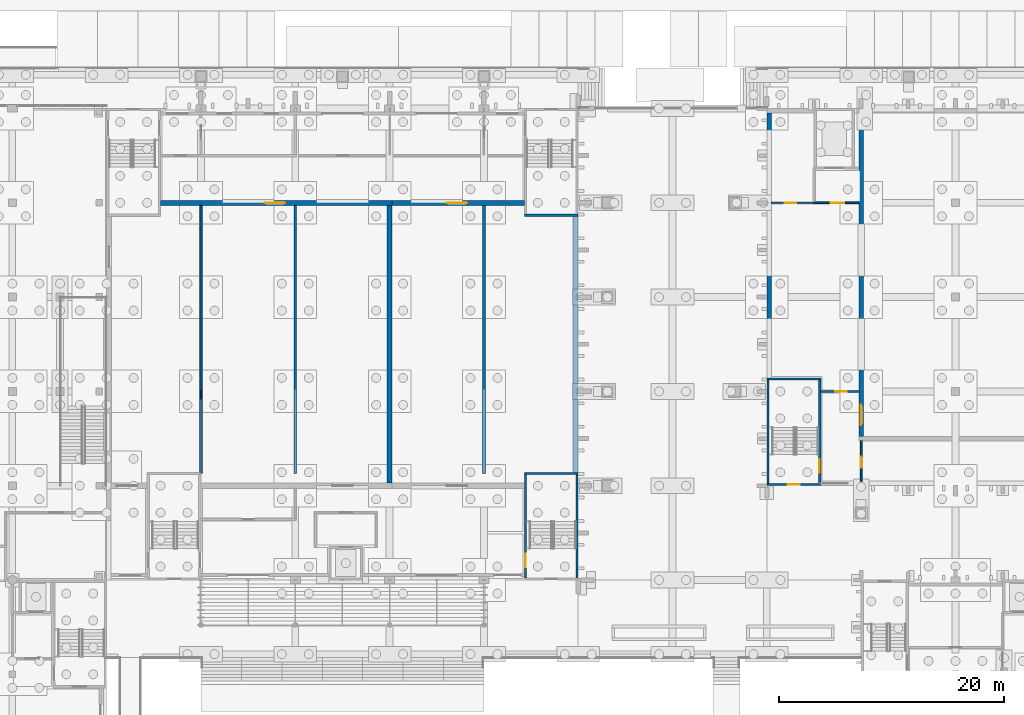
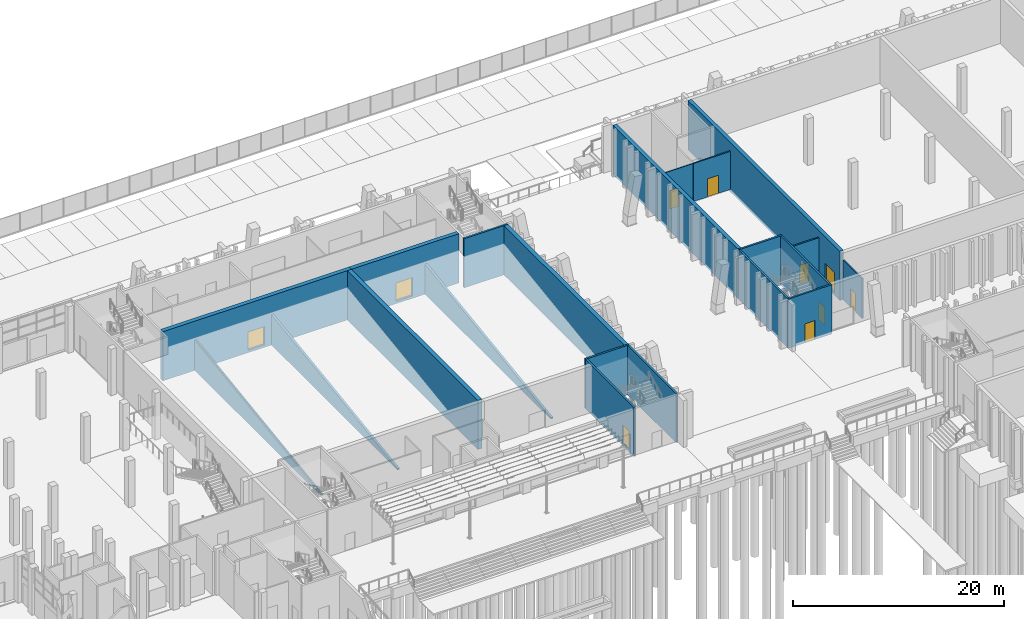
# One storey, part 49 of 129: 22 walls, 10 doors, 10 openings.
"""IFC4 building model written with IfcOpenShell, lengths in metres."""

import ifcopenshell
import ifcopenshell.guid

model = None  # the IFC model being written
_history = None  # IfcOwnerHistory: only IFC2X3 demands one
_inside = {}  # id of a spatial element -> (the spatial element, [elements in it])
_under = {}  # id of a project, library or spatial element -> (it, [spatial elements below it])
_declared = {}  # id of a project -> (the project, [libraries it declares])
_typed = {}  # id of a type object -> (the type object, [elements of that type])
_made_of = {}  # id of a material, layer set ... -> (it, [elements and type objects made of it])


def new_model(schema):
    """Start an empty IFC model of exactly this schema.

    Asked for "IFC4X3", IfcOpenShell would pick the latest addendum, in which some entities
    have other attributes; the version numbers below select the first issue.
    IFC2X3 requires an IfcOwnerHistory on every rooted entity: one is made here for all.
    """
    global model, _history
    if schema == "IFC4X3":
        model = ifcopenshell.file(schema_version=(4, 3, 0, 0))
    else:
        model = ifcopenshell.file(schema=schema)
    _inside.clear()
    _under.clear()
    _declared.clear()
    _typed.clear()
    _made_of.clear()
    _history = None
    if model.schema == "IFC2X3":
        org = make("IfcOrganization", Name="unknown")
        user = make(
            "IfcPersonAndOrganization",
            ThePerson=make("IfcPerson", FamilyName="unknown"),
            TheOrganization=org,
        )
        app = make(
            "IfcApplication",
            ApplicationDeveloper=org,
            Version="unknown",
            ApplicationFullName="unknown",
            ApplicationIdentifier="unknown",
        )
        _history = make(
            "IfcOwnerHistory",
            OwningUser=user,
            OwningApplication=app,
            ChangeAction="ADDED",
            CreationDate=0,
        )
    return model


def make(cls, **values):
    """One entity of the class cls with the attributes given. An attribute that is None is left unset."""
    return model.create_entity(
        cls, **{name: value for name, value in values.items() if value is not None}
    )


def rooted(cls, **values):
    """An entity with a GlobalId (a new one), such as an element, a storey or a relation."""
    return make(cls, GlobalId=ifcopenshell.guid.new(), OwnerHistory=_history, **values)


def si_unit(unit_type, name, prefix=None):
    """IfcSIUnit, for example si_unit("LENGTHUNIT", "METRE", prefix="MILLI")."""
    return make("IfcSIUnit", UnitType=unit_type, Prefix=prefix, Name=name)


def assignment(units):
    """IfcUnitAssignment: the units of a project."""
    return None if units is None else make("IfcUnitAssignment", Units=units)


def point(xyz):
    """IfcCartesianPoint."""
    return None if xyz is None else make("IfcCartesianPoint", Coordinates=xyz)


def direction(xyz):
    """IfcDirection."""
    return None if xyz is None else make("IfcDirection", DirectionRatios=xyz)


def frame(location, z_axis=None, x_axis=None):
    """IfcAxis2Placement3D, a coordinate frame: its origin and axes. An axis left out is left unset."""
    return make(
        "IfcAxis2Placement3D",
        Location=point(location),
        Axis=direction(z_axis),
        RefDirection=direction(x_axis),
    )


def frame_2d(location, x_axis=None):
    """IfcAxis2Placement2D, a coordinate frame in the plane: its origin and x axis."""
    return make(
        "IfcAxis2Placement2D", Location=point(location), RefDirection=direction(x_axis)
    )


def origin():
    """The frame at (0, 0, 0) with its axes left unset."""
    return frame((0.0, 0.0, 0.0))


def place(relative_to, where):
    """IfcLocalPlacement: puts the frame where relative to a parent placement (None: the world)."""
    return make(
        "IfcLocalPlacement", PlacementRelTo=relative_to, RelativePlacement=where
    )


def context(
    kind, dimensions, precision=None, world=None, true_north=None, identifier=None
):
    """IfcGeometricRepresentationContext, for example the 3D "Model" context."""
    return make(
        "IfcGeometricRepresentationContext",
        ContextIdentifier=identifier,
        ContextType=kind,
        CoordinateSpaceDimension=dimensions,
        Precision=precision,
        WorldCoordinateSystem=world,
        TrueNorth=true_north,
    )


def subcontext(parent, identifier, kind, view, scale=None):
    """IfcGeometricRepresentationSubContext, for example "Body" below "Model"."""
    return make(
        "IfcGeometricRepresentationSubContext",
        ContextIdentifier=identifier,
        ContextType=kind,
        ParentContext=parent,
        TargetScale=scale,
        TargetView=view,
    )


def project(units=None, contexts=None):
    """IfcProject with its units and contexts."""
    return rooted(
        "IfcProject",
        Name="project",
        RepresentationContexts=contexts,
        UnitsInContext=assignment(units),
    )


def spatial(cls, under=None, at=None, **own):
    """A site, building, storey or space (cls), placed at a placement, below another one or the project."""
    s = rooted(cls, ObjectPlacement=at, **own)
    if under is not None:
        _under.setdefault(under.id(), (under, []))[1].append(s)
    return s


def polyline(points):
    """IfcPolyline through the points."""
    return make("IfcPolyline", Points=[point(p) for p in points])


def profile(cls, at=None, kind="AREA", **sizes):
    """A parametric profile (cls). Its sizes go by their IFC names, for example OverallWidth=200.0."""
    return make(cls, ProfileType=kind, Position=at, **sizes)


def rectangle(**sizes):
    """IfcRectangleProfileDef."""
    return profile("IfcRectangleProfileDef", **sizes)


def outline(outer, holes=None, kind="AREA"):
    """IfcArbitraryClosedProfileDef: a profile drawn as a closed curve; with holes, ...WithVoids."""
    if holes is None:
        return make("IfcArbitraryClosedProfileDef", ProfileType=kind, OuterCurve=outer)
    return make(
        "IfcArbitraryProfileDefWithVoids",
        ProfileType=kind,
        OuterCurve=outer,
        InnerCurves=holes,
    )


def extrude(swept, where, along, depth):
    """IfcExtrudedAreaSolid: the profile swept, set in the frame where, extruded along a direction by depth."""
    return make(
        "IfcExtrudedAreaSolid",
        SweptArea=swept,
        Position=where,
        ExtrudedDirection=direction(along),
        Depth=depth,
    )


def shape(context_of_items, identifier, shape_type, items):
    """IfcShapeRepresentation: the items that make up one representation, for example the "Body"."""
    return make(
        "IfcShapeRepresentation",
        ContextOfItems=context_of_items,
        RepresentationIdentifier=identifier,
        RepresentationType=shape_type,
        Items=items,
    )


def material(Name=None, Category=None):
    """IfcMaterial."""
    return make("IfcMaterial", Name=Name, Category=Category)


def layer(
    of_material, thickness, ventilated=None, Name=None, Category=None, Priority=None
):
    """IfcMaterialLayer: one layer of a wall or slab, of a material (None: an air gap)."""
    return make(
        "IfcMaterialLayer",
        Material=of_material,
        LayerThickness=thickness,
        IsVentilated=ventilated,
        Name=Name,
        Category=Category,
        Priority=Priority,
    )


def layer_set(layers, Name=None):
    """IfcMaterialLayerSet."""
    return make("IfcMaterialLayerSet", MaterialLayers=layers, LayerSetName=Name)


def made_of(thing, what):
    """Note that an element or type object is made of a material, layer set ...; save() writes the relation."""
    if what is not None:
        _made_of.setdefault(what.id(), (what, []))[1].append(thing)
    return thing


def type_object(cls, material=None, **own):
    """A type object (cls), such as IfcWallType, which elements share."""
    return made_of(rooted(cls, **own), material)


def element(
    cls,
    number,
    at=None,
    inside=None,
    cuts=None,
    type_object=None,
    material=None,
    context=None,
    identifier="Body",
    shape_type=None,
    held_by="IfcProductDefinitionShape",
    body=None,
    shapes=None,
    **own,
):
    """One element of the class cls, such as IfcWall. Its Tag is "e" and its number.

    at: its placement. inside: the storey or other place that contains it. cuts: it is an
    opening in that element (IfcRelVoidsElement). A single representation is given by context,
    identifier, shape_type and body (its items); several are given by shapes. held_by: the class
    of the entity that holds the representations. save() writes the other relations.
    """
    e = rooted(cls, Tag="e%d" % number, ObjectPlacement=at, **own)
    if body is not None:
        shapes = [shape(context, identifier, shape_type, body)]
    if shapes is not None:
        e.Representation = make(held_by, Representations=shapes)
    if inside is not None:
        _inside.setdefault(inside.id(), (inside, []))[1].append(e)
    if cuts is not None:
        rooted(
            "IfcRelVoidsElement", RelatingBuildingElement=cuts, RelatedOpeningElement=e
        )
    if type_object is not None:
        _typed.setdefault(type_object.id(), (type_object, []))[1].append(e)
    return made_of(e, material)


def fill(opening, filler):
    """IfcRelFillsElement: the door or window that sits in an opening."""
    return rooted(
        "IfcRelFillsElement",
        RelatingOpeningElement=opening,
        RelatedBuildingElement=filler,
    )


def aggregate(whole, parts):
    """IfcRelAggregates: a whole, such as a stair, and the parts it consists of."""
    return rooted("IfcRelAggregates", RelatingObject=whole, RelatedObjects=parts)


def save(model, path):
    """Write the relations noted so far, then the file.

    IfcRelAggregates (storeys below a building ...), IfcRelContainedInSpatialStructure (elements
    in a storey), IfcRelDefinesByType, IfcRelAssociatesMaterial and IfcRelDeclares: one each for
    every whole, place, type object, material and project.
    """
    for whole, parts in _under.values():
        aggregate(whole, parts)
    for where, things in _inside.values():
        rooted(
            "IfcRelContainedInSpatialStructure",
            RelatedElements=things,
            RelatingStructure=where,
        )
    for kind, things in _typed.values():
        rooted("IfcRelDefinesByType", RelatedObjects=things, RelatingType=kind)
    for what, things in _made_of.values():
        rooted("IfcRelAssociatesMaterial", RelatedObjects=things, RelatingMaterial=what)
    for by, libraries in _declared.values():
        rooted("IfcRelDeclares", RelatingContext=by, RelatedDefinitions=libraries)
    model.write(path)


model = new_model("IFC4")

# Units and contexts
model_context = context("Model", 3, precision=1e-05, world=origin(), true_north=direction((0.0, 1.0)))
body_context = subcontext(model_context, "Body", "Model", "MODEL_VIEW")
ifc_project = project(units=[si_unit("LENGTHUNIT", "METRE"), si_unit("AREAUNIT", "SQUARE_METRE"), si_unit("VOLUMEUNIT", "CUBIC_METRE"), si_unit("PLANEANGLEUNIT", "RADIAN"), si_unit("MASSUNIT", "GRAM", prefix="KILO")], contexts=[model_context])

# Site, building, storey
site_placement = place(None, origin())
site = spatial("IfcSite", under=ifc_project, at=site_placement, CompositionType="ELEMENT")
building_placement = place(site_placement, origin())
building = spatial("IfcBuilding", under=site, at=building_placement, Name="Kiln Court Media Centre", CompositionType="ELEMENT")
storey_placement = place(building_placement, origin())
storey = spatial("IfcBuildingStorey", under=building, at=storey_placement, Name="L00", CompositionType="ELEMENT", Elevation=0.0)

# Wall, opening, door
ifc_material_1 = material(Name="Concrete block masonry M7.5", Category="masonry")
ifc_layer_1 = layer(ifc_material_1, 0.14990234375)
ifc_layer_set_1 = layer_set([ifc_layer_1], Name="Block lobby wall 150 EI 120")
wall_type_1 = type_object("IfcWallType", Name="Block lobby wall 150 EI 120", PredefinedType="SOLIDWALL", material=ifc_layer_set_1)
wall_1_placement = place(storey_placement, frame((121.72509765625, 58.800048828125, 0.0), z_axis=(0.0, 0.0, 1.0), x_axis=(1.0, 0.0, 0.0)))
wall_1 = element("IfcWall", 1, at=wall_1_placement, inside=storey, type_object=wall_type_1, Name="L00 block lobby wall", PredefinedType="SOLIDWALL", context=body_context, shape_type="SweptSolid", body=[
    extrude(rectangle(XDim=4.074951171875, YDim=0.14990234375, at=frame_2d((2.03759765625, 0.0))), origin(), (0.0, 0.0, 1.0), 4.39990234375),
])
opening_1_placement = place(wall_1_placement, frame((1.574951171875, 0.0, 0.0)))
opening_1 = element("IfcOpeningElement", 2, at=opening_1_placement, cuts=wall_1, Name="Opening D0057", PredefinedType="OPENING", context=body_context, shape_type="SweptSolid", body=[
    extrude(rectangle(XDim=1.199951171875, YDim=2.10009765625, at=frame_2d((0.60009765625, 1.050048828125))), frame((0.0, 0.0849609375, 0.0), z_axis=(0.0, -1.0, 0.0), x_axis=(1.0, 0.0, 0.0)), (0.0, 0.0, 1.0), 0.169921875),
])
ifc_material_2 = material(Name="Steel S275", Category="steel")
door_type_1 = type_object("IfcDoorType", Name="Steel lobby door 1200 x 2100 FD120", OperationType="SINGLE_SWING_LEFT", PredefinedType="DOOR", material=ifc_material_2)
door_1_placement = place(opening_1_placement, origin())
door_1 = element("IfcDoor", 3, at=door_1_placement, inside=storey, type_object=door_type_1, Name="Studio Circulation and Make-up / Fire-fighting Lift Lobby", OperationType="SINGLE_SWING_RIGHT", OverallHeight=2.10009765625, OverallWidth=1.199951171875, PredefinedType="DOOR", context=body_context, shape_type="SweptSolid", body=[
    extrude(rectangle(XDim=1.199951171875, YDim=2.10009765625, at=frame_2d((0.60009765625, 1.050048828125))), frame((0.0, 0.02490234375, 0.0), z_axis=(0.0, -1.0, 0.0), x_axis=(1.0, 0.0, 0.0)), (0.0, 0.0, 1.0), 0.050048828125),
])
fill(opening_1, door_1)

# Wall
ifc_material_3 = material(Name="Concrete C40/50", Category="concrete")
ifc_layer_2 = layer(ifc_material_3, 0.39990234375)
ifc_layer_set_2 = layer_set([ifc_layer_2], Name="Concrete C40/50 auditorium wall 400")
wall_type_2 = type_object("IfcWallType", Name="Concrete C40/50 auditorium wall 400", PredefinedType="SHEAR", material=ifc_layer_set_2)
wall_2_placement = place(storey_placement, frame((117.800048828125, 43.199951171875, -0.300048828125), z_axis=(0.0, 0.0, 1.0), x_axis=(0.0, 1.0, 0.0)))
element("IfcWall", 4, at=wall_2_placement, inside=storey, type_object=wall_type_2, Name="L00-W-1146", PredefinedType="SHEAR", context=body_context, shape_type="SweptSolid", body=[
    extrude(rectangle(XDim=23.60009765625, YDim=0.39990234375, at=frame_2d((11.800048828125, 0.0))), origin(), (0.0, 0.0, 1.0), 5.699951171875),
])

# Wall, opening, door
ifc_material_4 = material(Name="Concrete C40/50", Category="concrete")
ifc_layer_3 = layer(ifc_material_4, 0.449951171875)
ifc_layer_set_3 = layer_set([ifc_layer_3], Name="Concrete C40/50 auditorium wall 450")
wall_type_3 = type_object("IfcWallType", Name="Concrete C40/50 auditorium wall 450", PredefinedType="SHEAR", material=ifc_layer_set_3)
wall_3_placement = place(storey_placement, frame((63.60009765625, 58.800048828125, -0.300048828125), z_axis=(0.0, 0.0, 1.0), x_axis=(1.0, 0.0, 0.0)))
wall_3 = element("IfcWall", 5, at=wall_3_placement, inside=storey, type_object=wall_type_3, Name="L00-W-1112", PredefinedType="SHEAR", context=body_context, shape_type="SweptSolid", body=[
    extrude(rectangle(XDim=20.625, YDim=0.449951171875, at=frame_2d((10.3125, 0.0))), origin(), (0.0, 0.0, 1.0), 5.699951171875),
])
opening_2_placement = place(wall_3_placement, frame((9.2998046875, 0.0, 0.300048828125)))
opening_2 = element("IfcOpeningElement", 6, at=opening_2_placement, cuts=wall_3, Name="Opening D0076", PredefinedType="OPENING", context=body_context, shape_type="SweptSolid", body=[
    extrude(rectangle(XDim=1.800048828125, YDim=2.10009765625, at=frame_2d((0.89990234375, 1.050048828125))), frame((0.0, 0.23486328125, 0.0), z_axis=(0.0, -1.0, 0.0), x_axis=(1.0, 0.0, 0.0)), (0.0, 0.0, 1.0), 0.469970703125),
])
ifc_material_5 = material(Name="Steel S275", Category="steel")
door_type_2 = type_object("IfcDoorType", Name="Acoustic cinema double door 1800 x 2100 FD180", OperationType="DOUBLE_DOOR_SINGLE_SWING", PredefinedType="DOOR", material=ifc_material_5)
door_2_placement = place(opening_2_placement, origin())
door_2 = element("IfcDoor", 7, at=door_2_placement, inside=storey, type_object=door_type_2, Name="Cinema Screen 1 / Rear Exit Lobby", OperationType="DOUBLE_DOOR_SINGLE_SWING", OverallHeight=2.10009765625, OverallWidth=1.800048828125, PredefinedType="DOOR", context=body_context, shape_type="SweptSolid", body=[
    extrude(rectangle(XDim=1.800048828125, YDim=2.10009765625, at=frame_2d((0.89990234375, 1.050048828125))), frame((0.0, 0.02490234375, 0.0), z_axis=(0.0, -1.0, 0.0), x_axis=(1.0, 0.0, 0.0)), (0.0, 0.0, 1.0), 0.050048828125),
])
fill(opening_2, door_2)

# Wall
wall_4_placement = place(storey_placement, frame((84.0, 58.574951171875, -0.300048828125), z_axis=(0.0, 0.0, 1.0), x_axis=(0.0, -1.0, 0.0)))
element("IfcWall", 8, at=wall_4_placement, inside=storey, type_object=wall_type_3, Name="L00-W-1114", PredefinedType="SHEAR", context=body_context, shape_type="SweptSolid", body=[
    extrude(rectangle(XDim=24.75, YDim=0.449951171875, at=frame_2d((12.375, 0.0))), origin(), (0.0, 0.0, 1.0), 5.699951171875),
])

# Wall, opening, door
wall_5_placement = place(storey_placement, frame((84.22509765625, 58.800048828125, -0.300048828125), z_axis=(0.0, 0.0, 1.0), x_axis=(1.0, 0.0, 0.0)))
wall_5 = element("IfcWall", 9, at=wall_5_placement, inside=storey, type_object=wall_type_3, Name="L00-W-1116", PredefinedType="SHEAR", context=body_context, shape_type="SweptSolid", body=[
    extrude(rectangle(XDim=11.77490234375, YDim=0.449951171875, at=frame_2d((5.887451171875, 0.0))), origin(), (0.0, 0.0, 1.0), 5.699951171875),
])
opening_3_placement = place(wall_5_placement, frame((4.875, 0.0, 0.300048828125)))
opening_3 = element("IfcOpeningElement", 10, at=opening_3_placement, cuts=wall_5, Name="Opening D0077", PredefinedType="OPENING", context=body_context, shape_type="SweptSolid", body=[
    extrude(rectangle(XDim=1.800048828125, YDim=2.10009765625, at=frame_2d((0.89990234375, 1.050048828125))), frame((0.0, 0.23486328125, 0.0), z_axis=(0.0, -1.0, 0.0), x_axis=(1.0, 0.0, 0.0)), (0.0, 0.0, 1.0), 0.469970703125),
])
door_3_placement = place(opening_3_placement, origin())
door_3 = element("IfcDoor", 11, at=door_3_placement, inside=storey, type_object=door_type_2, Name="Cinema Screen 2 / Rear Exit Lobby", OperationType="DOUBLE_DOOR_SINGLE_SWING", OverallHeight=2.10009765625, OverallWidth=1.800048828125, PredefinedType="DOOR", context=body_context, shape_type="SweptSolid", body=[
    extrude(rectangle(XDim=1.800048828125, YDim=2.10009765625, at=frame_2d((0.89990234375, 1.050048828125))), frame((0.0, 0.02490234375, 0.0), z_axis=(0.0, -1.0, 0.0), x_axis=(1.0, 0.0, 0.0)), (0.0, 0.0, 1.0), 0.050048828125),
])
fill(opening_3, door_3)

# Walls
wall_6_placement = place(storey_placement, frame((100.574951171875, 57.60009765625, -0.300048828125), z_axis=(0.0, 0.0, 1.0), x_axis=(0.0, -1.0, 0.0)))
element("IfcWall", 12, at=wall_6_placement, inside=storey, type_object=wall_type_3, Name="L00-W-1117", PredefinedType="SHEAR", context=body_context, shape_type="SweptSolid", body=[
    extrude(rectangle(XDim=22.800048828125, YDim=0.449951171875, at=frame_2d((11.39990234375, 0.0))), origin(), (0.0, 0.0, 1.0), 5.699951171875),
])
ifc_material_6 = material(Name="Concrete C40/50", Category="concrete")
ifc_layer_4 = layer(ifc_material_6, 0.125)
ifc_layer_set_4 = layer_set([ifc_layer_4], Name="Concrete C40/50 raker wall 125")
wall_type_4 = type_object("IfcWallType", Name="Concrete C40/50 raker wall 125", PredefinedType="SOLIDWALL", material=ifc_layer_set_4)
wall_7_placement = place(storey_placement, frame((67.262451171875, 34.699951171875, -0.300048828125), z_axis=(0.0, 0.0, 1.0), x_axis=(0.0, 1.0, 0.0)))
element("IfcWall", 13, at=wall_7_placement, inside=storey, type_object=wall_type_4, Name="L00-W-1147", PredefinedType="SOLIDWALL", context=body_context, shape_type="SweptSolid", body=[
    extrude(outline(polyline([(0.0, 0.0), (23.875, 0.0), (23.875, 3.49658203125), (0.0, 0.154052734375), (0.0, 0.0)])), frame((0.0, 0.0625, 0.0), z_axis=(0.0, -1.0, 0.0), x_axis=(1.0, 0.0, 0.0)), (0.0, 0.0, 1.0), 0.125),
])
wall_8_placement = place(storey_placement, frame((67.137451171875, 34.800048828125, -0.300048828125), z_axis=(0.0, 0.0, 1.0), x_axis=(0.0, 1.0, 0.0)))
element("IfcWall", 14, at=wall_8_placement, inside=storey, type_object=wall_type_4, Name="L00-W-1148", PredefinedType="SOLIDWALL", context=body_context, shape_type="SweptSolid", body=[
    extrude(outline(polyline([(0.0, 0.0), (23.77490234375, 0.0), (23.77490234375, 3.49658203125), (0.0, 0.16796875), (0.0, 0.0)])), frame((0.0, 0.0625, 0.0), z_axis=(0.0, -1.0, 0.0), x_axis=(1.0, 0.0, 0.0)), (0.0, 0.0, 1.0), 0.125),
])
ifc_material_7 = material(Name="Concrete C40/50", Category="concrete")
ifc_layer_5 = layer(ifc_material_7, 0.25)
ifc_layer_set_5 = layer_set([ifc_layer_5], Name="Concrete C40/50 raker wall 250")
wall_type_5 = type_object("IfcWallType", Name="Concrete C40/50 raker wall 250", PredefinedType="SOLIDWALL", material=ifc_layer_set_5)
for number, where, z_axis, x_axis, name in (
    (15, (75.60009765625, 34.699951171875, -0.300048828125), (0.0, 0.0, 1.0), (0.0, 1.0, 0.0), "L00-W-1149"),
    (16, (92.39990234375, 34.699951171875, -0.300048828125), (0.0, 0.0, 1.0), (0.0, 1.0, 0.0), "L00-W-1150"),
):
    element("IfcWall", number, at=place(storey_placement, frame(where, z_axis=z_axis, x_axis=x_axis)), inside=storey, type_object=wall_type_5, Name=name, PredefinedType="SOLIDWALL", context=body_context, shape_type="SweptSolid", body=[
        extrude(outline(polyline([(0.0, 0.0), (23.875, 0.0), (23.875, 3.49658203125), (0.0, 0.154052734375), (0.0, 0.0)])), frame((0.0, 0.125, 0.0), z_axis=(0.0, -1.0, 0.0), x_axis=(1.0, 0.0, 0.0)), (0.0, 0.0, 1.0), 0.25),
    ])
ifc_material_8 = material(Name="Concrete C40/50", Category="concrete")
ifc_layer_6 = layer(ifc_material_8, 0.199951171875)
ifc_layer_set_6 = layer_set([ifc_layer_6], Name="Concrete C40/50 shear wall 200")
wall_type_6 = type_object("IfcWallType", Name="Concrete C40/50 shear wall 200", PredefinedType="SHEAR", material=ifc_layer_set_6)
wall_9_placement = place(storey_placement, frame((96.0, 34.699951171875, -0.300048828125), z_axis=(0.0, 0.0, 1.0), x_axis=(1.0, 0.0, 0.0)))
element("IfcWall", 17, at=wall_9_placement, inside=storey, type_object=wall_type_6, Name="L00-W-1037", PredefinedType="SHEAR", context=body_context, shape_type="SweptSolid", body=[
    extrude(rectangle(XDim=4.800048828125, YDim=0.199951171875, at=frame_2d((2.39990234375, 0.0))), origin(), (0.0, 0.0, 1.0), 5.699951171875),
])

# Wall, opening, door
wall_10_placement = place(storey_placement, frame((96.10009765625, 25.39990234375, -0.300048828125), z_axis=(0.0, 0.0, 1.0), x_axis=(0.0, 1.0, 0.0)))
wall_10 = element("IfcWall", 18, at=wall_10_placement, inside=storey, type_object=wall_type_6, Name="L00-W-1038", PredefinedType="SHEAR", context=body_context, shape_type="SweptSolid", body=[
    extrude(rectangle(XDim=9.2001953125, YDim=0.199951171875, at=frame_2d((4.60009765625, 0.0))), origin(), (0.0, 0.0, 1.0), 5.699951171875),
])
opening_4_placement = place(wall_10_placement, frame((0.9501953125, 0.0, 0.300048828125)))
opening_4 = element("IfcOpeningElement", 19, at=opening_4_placement, cuts=wall_10, Name="Opening D0003", PredefinedType="OPENING", context=body_context, shape_type="SweptSolid", body=[
    extrude(rectangle(XDim=1.199951171875, YDim=2.10009765625, at=frame_2d((0.60009765625, 1.050048828125))), frame((0.0, 0.10986328125, 0.0), z_axis=(0.0, -1.0, 0.0), x_axis=(1.0, 0.0, 0.0)), (0.0, 0.0, 1.0), 0.219970703125),
])
ifc_material_9 = material(Name="Steel S275", Category="steel")
door_type_3 = type_object("IfcDoorType", Name="Steel stair door 1200 x 2100 FD180", OperationType="SINGLE_SWING_LEFT", PredefinedType="DOOR", material=ifc_material_9)
door_4_placement = place(opening_4_placement, origin())
door_4 = element("IfcDoor", 20, at=door_4_placement, inside=storey, type_object=door_type_3, Name="Cinema Concessions / Stair 10", OperationType="SINGLE_SWING_LEFT", OverallHeight=2.10009765625, OverallWidth=1.199951171875, PredefinedType="DOOR", context=body_context, shape_type="SweptSolid", body=[
    extrude(rectangle(XDim=1.199951171875, YDim=2.10009765625, at=frame_2d((0.60009765625, 1.050048828125))), frame((0.0, 0.02490234375, 0.0), z_axis=(0.0, -1.0, 0.0), x_axis=(1.0, 0.0, 0.0)), (0.0, 0.0, 1.0), 0.050048828125),
])
fill(opening_4, door_4)

# Walls
wall_11_placement = place(storey_placement, frame((100.699951171875, 34.60009765625, -0.300048828125), z_axis=(0.0, 0.0, 1.0), x_axis=(0.0, -1.0, 0.0)))
element("IfcWall", 21, at=wall_11_placement, inside=storey, type_object=wall_type_6, Name="L00-W-1039", PredefinedType="SHEAR", context=body_context, shape_type="SweptSolid", body=[
    extrude(rectangle(XDim=9.2001953125, YDim=0.199951171875, at=frame_2d((4.60009765625, 0.0))), origin(), (0.0, 0.0, 1.0), 5.699951171875),
])
wall_12_placement = place(storey_placement, frame((100.800048828125, 57.699951171875, -0.300048828125), z_axis=(0.0, 0.0, 1.0), x_axis=(-1.0, 0.0, 0.0)))
element("IfcWall", 22, at=wall_12_placement, inside=storey, type_object=wall_type_6, Name="L00-W-1044", PredefinedType="SHEAR", context=body_context, shape_type="SweptSolid", body=[
    extrude(rectangle(XDim=4.800048828125, YDim=0.199951171875, at=frame_2d((2.39990234375, 0.0))), origin(), (0.0, 0.0, 1.0), 5.699951171875),
])

# Wall, opening, door
wall_13_placement = place(storey_placement, frame((122.39990234375, 33.699951171875, -0.300048828125), z_axis=(0.0, 0.0, 1.0), x_axis=(-1.0, 0.0, 0.0)))
wall_13 = element("IfcWall", 23, at=wall_13_placement, inside=storey, type_object=wall_type_6, Name="L00-W-1048", PredefinedType="SHEAR", context=body_context, shape_type="SweptSolid", body=[
    extrude(rectangle(XDim=4.7998046875, YDim=0.199951171875, at=frame_2d((2.39990234375, 0.0))), origin(), (0.0, 0.0, 1.0), 5.699951171875),
])
opening_5_placement = place(wall_13_placement, frame((1.849853515625, 0.0, 0.0)))
opening_5 = element("IfcOpeningElement", 24, at=opening_5_placement, cuts=wall_13, Name="Opening D0767", PredefinedType="OPENING", context=body_context, shape_type="SweptSolid", body=[
    extrude(rectangle(XDim=1.10009765625, YDim=2.199951171875, at=frame_2d((0.550048828125, 1.10009765625))), frame((0.0, 0.10986328125, 0.0), z_axis=(0.0, -1.0, 0.0), x_axis=(1.0, 0.0, 0.0)), (0.0, 0.0, 1.0), 0.219970703125),
])
ifc_material_10 = material(Name="Steel ASTM A572 Gr 50", Category="steel")
door_type_4 = type_object("IfcDoorType", Name="Steel hall exit door 1100x2200", OperationType="SINGLE_SWING_LEFT", PredefinedType="DOOR", material=ifc_material_10)
door_5_placement = place(opening_5_placement, origin())
door_5 = element("IfcDoor", 25, at=door_5_placement, inside=storey, type_object=door_type_4, Name="ST-13 exit door", OperationType="SLIDING_TO_LEFT", OverallHeight=2.199951171875, OverallWidth=1.10009765625, PredefinedType="DOOR", context=body_context, shape_type="SweptSolid", body=[
    extrude(rectangle(XDim=1.10009765625, YDim=2.199951171875, at=frame_2d((0.550048828125, 1.10009765625))), frame((0.0, 0.02490234375, 0.0), z_axis=(0.0, -1.0, 0.0), x_axis=(1.0, 0.0, 0.0)), (0.0, 0.0, 1.0), 0.050048828125),
])
fill(opening_5, door_5)

# Walls
wall_14_placement = place(storey_placement, frame((117.60009765625, 43.10009765625, -0.300048828125), z_axis=(0.0, 0.0, 1.0), x_axis=(1.0, 0.0, 0.0)))
element("IfcWall", 26, at=wall_14_placement, inside=storey, type_object=wall_type_6, Name="L00-W-1049", PredefinedType="SHEAR", context=body_context, shape_type="SweptSolid", body=[
    extrude(rectangle(XDim=4.7998046875, YDim=0.199951171875, at=frame_2d((2.39990234375, 0.0))), origin(), (0.0, 0.0, 1.0), 5.699951171875),
])
wall_15_placement = place(storey_placement, frame((117.699951171875, 33.800048828125, -0.300048828125), z_axis=(0.0, 0.0, 1.0), x_axis=(0.0, 1.0, 0.0)))
element("IfcWall", 27, at=wall_15_placement, inside=storey, type_object=wall_type_6, Name="L00-W-1050", PredefinedType="SHEAR", context=body_context, shape_type="SweptSolid", body=[
    extrude(rectangle(XDim=9.199951171875, YDim=0.199951171875, at=frame_2d((4.60009765625, 0.0))), origin(), (0.0, 0.0, 1.0), 5.699951171875),
])

# Wall, opening, door
wall_16_placement = place(storey_placement, frame((122.300048828125, 43.0, -0.300048828125), z_axis=(0.0, 0.0, 1.0), x_axis=(0.0, -1.0, 0.0)))
wall_16 = element("IfcWall", 28, at=wall_16_placement, inside=storey, type_object=wall_type_6, Name="L00-W-1051", PredefinedType="SHEAR", context=body_context, shape_type="SweptSolid", body=[
    extrude(rectangle(XDim=9.199951171875, YDim=0.199951171875, at=frame_2d((4.60009765625, 0.0))), origin(), (0.0, 0.0, 1.0), 5.699951171875),
])
opening_6_placement = place(wall_16_placement, frame((7.050048828125, 0.0, 0.300048828125)))
opening_6 = element("IfcOpeningElement", 29, at=opening_6_placement, cuts=wall_16, Name="Opening D0007", PredefinedType="OPENING", context=body_context, shape_type="SweptSolid", body=[
    extrude(rectangle(XDim=1.199951171875, YDim=2.10009765625, at=frame_2d((0.60009765625, 1.050048828125))), frame((0.0, 0.10986328125, 0.0), z_axis=(0.0, -1.0, 0.0), x_axis=(1.0, 0.0, 0.0)), (0.0, 0.0, 1.0), 0.219970703125),
])
door_6_placement = place(opening_6_placement, origin())
door_6 = element("IfcDoor", 30, at=door_6_placement, inside=storey, type_object=door_type_3, Name="Stair 13 / Studio Reception", OperationType="SINGLE_SWING_LEFT", OverallHeight=2.10009765625, OverallWidth=1.199951171875, PredefinedType="DOOR", context=body_context, shape_type="SweptSolid", body=[
    extrude(rectangle(XDim=1.199951171875, YDim=2.10009765625, at=frame_2d((0.60009765625, 1.050048828125))), frame((0.0, 0.02490234375, 0.0), z_axis=(0.0, -1.0, 0.0), x_axis=(1.0, 0.0, 0.0)), (0.0, 0.0, 1.0), 0.050048828125),
])
fill(opening_6, door_6)

ifc_material_11 = material(Name="Concrete C40/50", Category="concrete")
ifc_layer_7 = layer(ifc_material_11, 0.39990234375)
ifc_layer_set_7 = layer_set([ifc_layer_7], Name="Concrete C40/50 studio wall 400")
wall_type_7 = type_object("IfcWallType", Name="Concrete C40/50 studio wall 400", PredefinedType="SHEAR", material=ifc_layer_set_7)
wall_17_placement = place(storey_placement, frame((126.0, 38.0, -0.300048828125), z_axis=(0.0, 0.0, 1.0), x_axis=(0.0, 1.0, 0.0)))
wall_17 = element("IfcWall", 31, at=wall_17_placement, inside=storey, type_object=wall_type_7, Name="L00-W-1127", PredefinedType="SHEAR", context=body_context, shape_type="SweptSolid", body=[
    extrude(rectangle(XDim=28.800048828125, YDim=0.39990234375, at=frame_2d((14.39990234375, 0.0))), origin(), (0.0, 0.0, 1.0), 5.699951171875),
])
opening_7_placement = place(wall_17_placement, frame((1.0, 0.0, 0.300048828125)))
opening_7 = element("IfcOpeningElement", 32, at=opening_7_placement, cuts=wall_17, Name="Opening D0033", PredefinedType="OPENING", context=body_context, shape_type="SweptSolid", body=[
    extrude(rectangle(XDim=1.800048828125, YDim=2.300048828125, at=frame_2d((0.89990234375, 1.14990234375))), frame((0.0, 0.2099609375, 0.0), z_axis=(0.0, -1.0, 0.0), x_axis=(1.0, 0.0, 0.0)), (0.0, 0.0, 1.0), 0.419921875),
])
ifc_material_12 = material(Name="Steel S275", Category="steel")
door_type_5 = type_object("IfcDoorType", Name="Acoustic studio double door 1800 x 2300 FD180", OperationType="DOUBLE_DOOR_SINGLE_SWING", PredefinedType="DOOR", material=ifc_material_12)
door_7_placement = place(opening_7_placement, origin())
door_7 = element("IfcDoor", 33, at=door_7_placement, inside=storey, type_object=door_type_5, Name="Studio Reception / Television Studio A", OperationType="DOUBLE_DOOR_SINGLE_SWING", OverallHeight=2.300048828125, OverallWidth=1.800048828125, PredefinedType="DOOR", context=body_context, shape_type="SweptSolid", body=[
    extrude(rectangle(XDim=1.800048828125, YDim=2.300048828125, at=frame_2d((0.89990234375, 1.14990234375))), frame((0.0, 0.02490234375, 0.0), z_axis=(0.0, -1.0, 0.0), x_axis=(1.0, 0.0, 0.0)), (0.0, 0.0, 1.0), 0.050048828125),
])
fill(opening_7, door_7)

ifc_material_13 = material(Name="Gypsum plasterboard", Category="gypsum")
ifc_layer_8 = layer(ifc_material_13, 0.14990234375)
ifc_layer_set_8 = layer_set([ifc_layer_8], Name="Gypsum corridor partition 150 EI 60")
wall_type_8 = type_object("IfcWallType", Name="Gypsum corridor partition 150 EI 60", PredefinedType="PARTITIONING", material=ifc_layer_set_8)
wall_18_placement = place(storey_placement, frame((122.39990234375, 42.0, 0.0), z_axis=(0.0, 0.0, 1.0), x_axis=(1.0, 0.0, 0.0)))
wall_18 = element("IfcWall", 34, at=wall_18_placement, inside=storey, type_object=wall_type_8, Name="L00 gypsum corridor partition", PredefinedType="PARTITIONING", context=body_context, shape_type="SweptSolid", body=[
    extrude(rectangle(XDim=3.400146484375, YDim=0.14990234375, at=frame_2d((1.7001953125, 0.0))), origin(), (0.0, 0.0, 1.0), 4.60009765625),
])
opening_8_placement = place(wall_18_placement, frame((1.300048828125, 0.0, 0.0)))
opening_8 = element("IfcOpeningElement", 35, at=opening_8_placement, cuts=wall_18, Name="Opening D0034", PredefinedType="OPENING", context=body_context, shape_type="SweptSolid", body=[
    extrude(rectangle(XDim=1.0, YDim=2.10009765625, at=frame_2d((0.5, 1.050048828125))), frame((0.0, 0.0849609375, 0.0), z_axis=(0.0, -1.0, 0.0), x_axis=(1.0, 0.0, 0.0)), (0.0, 0.0, 1.0), 0.169921875),
])
ifc_material_14 = material(Name="Steel S275", Category="steel")
door_type_6 = type_object("IfcDoorType", Name="Steel corridor door 1000 x 2100 FD30S", OperationType="SINGLE_SWING_LEFT", PredefinedType="DOOR", material=ifc_material_14)
door_8_placement = place(opening_8_placement, origin())
door_8 = element("IfcDoor", 36, at=door_8_placement, inside=storey, type_object=door_type_6, Name="Studio Reception / Studio Circulation and Make-up", OperationType="SINGLE_SWING_RIGHT", OverallHeight=2.10009765625, OverallWidth=1.0, PredefinedType="DOOR", context=body_context, shape_type="SweptSolid", body=[
    extrude(rectangle(XDim=1.0, YDim=2.10009765625, at=frame_2d((0.5, 1.050048828125))), frame((0.0, 0.02490234375, 0.0), z_axis=(0.0, -1.0, 0.0), x_axis=(1.0, 0.0, 0.0)), (0.0, 0.0, 1.0), 0.050048828125),
])
fill(opening_8, door_8)

wall_19_placement = place(storey_placement, frame((126.0, 34.0, 0.0), z_axis=(0.0, 0.0, 1.0), x_axis=(0.0, 1.0, 0.0)))
wall_19 = element("IfcWall", 37, at=wall_19_placement, inside=storey, type_object=wall_type_8, Name="L00 gypsum corridor partition", PredefinedType="PARTITIONING", context=body_context, shape_type="SweptSolid", body=[
    extrude(rectangle(XDim=3.60009765625, YDim=0.14990234375, at=frame_2d((1.800048828125, 0.0))), origin(), (0.0, 0.0, 1.0), 4.60009765625),
])
opening_9_placement = place(wall_19_placement, frame((1.199951171875, 0.0, 0.0)))
opening_9 = element("IfcOpeningElement", 38, at=opening_9_placement, cuts=wall_19, Name="Opening D0032", PredefinedType="OPENING", context=body_context, shape_type="SweptSolid", body=[
    extrude(rectangle(XDim=1.0, YDim=2.10009765625, at=frame_2d((0.5, 1.050048828125))), frame((0.0, 0.0849609375, 0.0), z_axis=(0.0, -1.0, 0.0), x_axis=(1.0, 0.0, 0.0)), (0.0, 0.0, 1.0), 0.169921875),
])
door_9_placement = place(opening_9_placement, origin())
door_9 = element("IfcDoor", 39, at=door_9_placement, inside=storey, type_object=door_type_6, Name="Studio Reception / Studio A Sound Lock", OperationType="SINGLE_SWING_RIGHT", OverallHeight=2.10009765625, OverallWidth=1.0, PredefinedType="DOOR", context=body_context, shape_type="SweptSolid", body=[
    extrude(rectangle(XDim=1.0, YDim=2.10009765625, at=frame_2d((0.5, 1.050048828125))), frame((0.0, 0.02490234375, 0.0), z_axis=(0.0, -1.0, 0.0), x_axis=(1.0, 0.0, 0.0)), (0.0, 0.0, 1.0), 0.050048828125),
])
fill(opening_9, door_9)

ifc_material_15 = material(Name="Gypsum plasterboard", Category="gypsum")
ifc_layer_9 = layer(ifc_material_15, 0.10009765625)
ifc_layer_set_9 = layer_set([ifc_layer_9], Name="Gypsum stud partition 100")
wall_type_9 = type_object("IfcWallType", Name="Gypsum stud partition 100", PredefinedType="PARTITIONING", material=ifc_layer_set_9)
wall_20_placement = place(storey_placement, frame((118.0, 58.800048828125, 0.0), z_axis=(0.0, 0.0, 1.0), x_axis=(1.0, 0.0, 0.0)))
wall_20 = element("IfcWall", 40, at=wall_20_placement, inside=storey, type_object=wall_type_9, Name="L00 gypsum stud partition", PredefinedType="PARTITIONING", context=body_context, shape_type="SweptSolid", body=[
    extrude(rectangle(XDim=3.72509765625, YDim=0.10009765625, at=frame_2d((1.862548828125, 0.0))), origin(), (0.0, 0.0, 1.0), 4.39990234375),
])
opening_10_placement = place(wall_20_placement, frame((1.199951171875, 0.0, 0.0)))
opening_10 = element("IfcOpeningElement", 41, at=opening_10_placement, cuts=wall_20, Name="Opening D0056", PredefinedType="OPENING", context=body_context, shape_type="SweptSolid", body=[
    extrude(rectangle(XDim=1.0, YDim=2.10009765625, at=frame_2d((0.5, 1.050048828125))), frame((0.0, 0.06005859375, 0.0), z_axis=(0.0, -1.0, 0.0), x_axis=(1.0, 0.0, 0.0)), (0.0, 0.0, 1.0), 0.1201171875),
])
ifc_material_16 = material(Name="Timber", Category="wood")
door_type_7 = type_object("IfcDoorType", Name="Timber door 1000 x 2100", OperationType="SINGLE_SWING_LEFT", PredefinedType="DOOR", material=ifc_material_16)
door_10_placement = place(opening_10_placement, origin())
door_10 = element("IfcDoor", 42, at=door_10_placement, inside=storey, type_object=door_type_7, Name="Studio Circulation and Make-up / Scene Dock", OperationType="SINGLE_SWING_LEFT", OverallHeight=2.10009765625, OverallWidth=1.0, PredefinedType="DOOR", context=body_context, shape_type="SweptSolid", body=[
    extrude(rectangle(XDim=1.0, YDim=2.10009765625, at=frame_2d((0.5, 1.050048828125))), frame((0.0, 0.02490234375, 0.0), z_axis=(0.0, -1.0, 0.0), x_axis=(1.0, 0.0, 0.0)), (0.0, 0.0, 1.0), 0.050048828125),
])
fill(opening_10, door_10)

save(model, "model.ifc")
